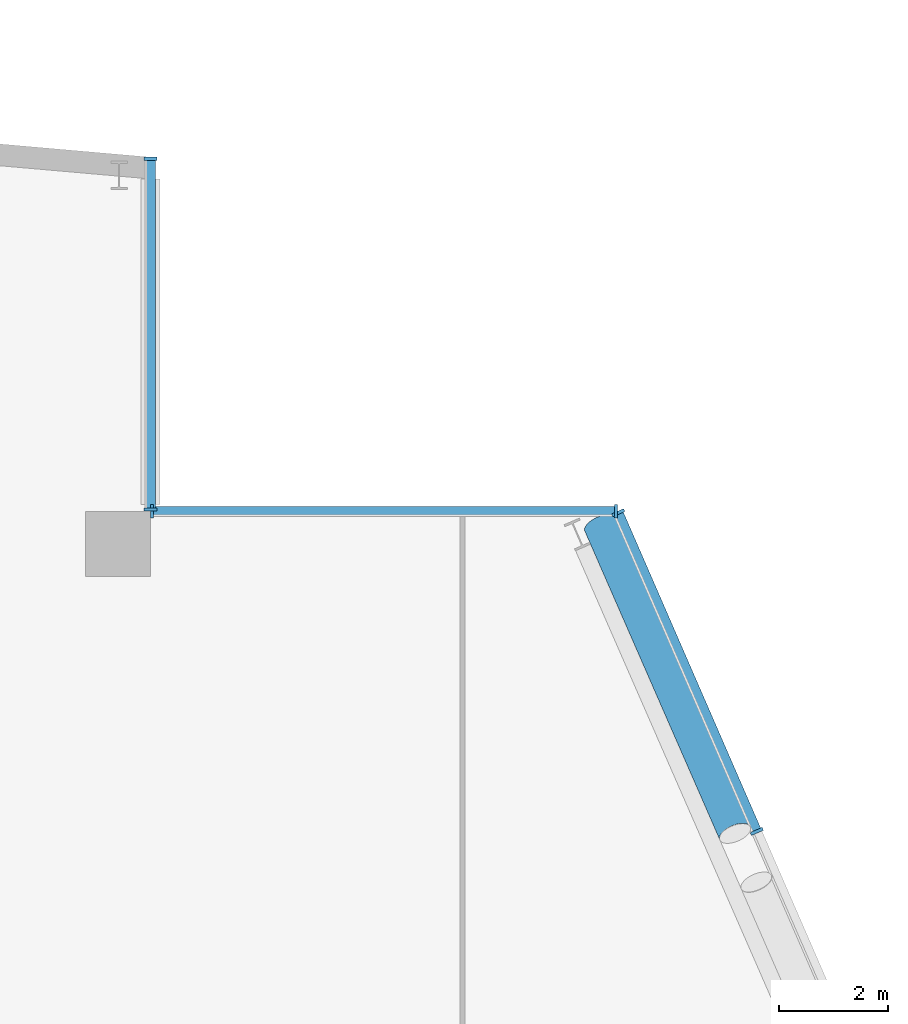
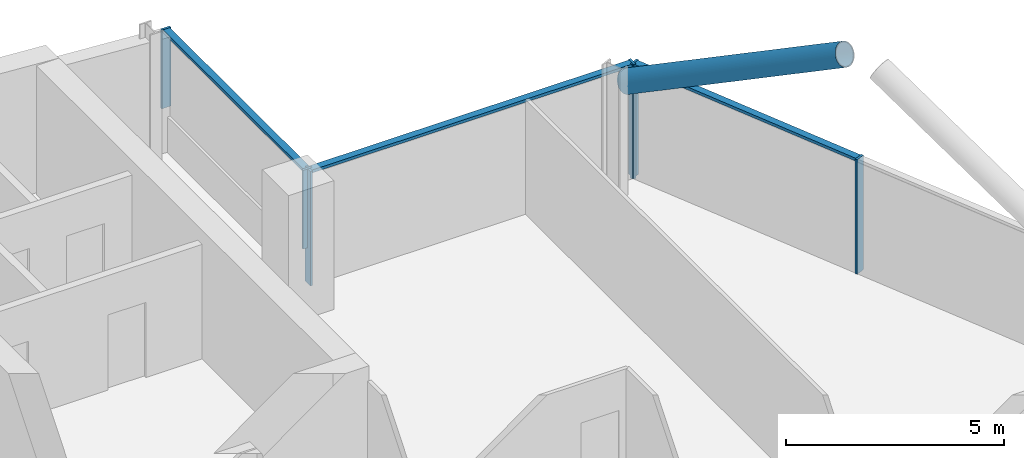
# One storey, part 11 of 25: 10 members, 3 elements without a shape of their own.
"""IFC4 building model written with IfcOpenShell, lengths in metres."""

from ifc_helpers import new_model, si_unit, direction, frame, origin, origin_2d, place, context, subcontext, project, spatial, rectangle, hollow_circle, extrude, material, material_profile, profile_set, type_object, element, aggregate, save


model = new_model("IFC4")

# Units and contexts
model_context = context("Model", 3, precision=1e-05, world=origin(), true_north=direction((0.0, 1.0)))
body_context = subcontext(model_context, "Body", "Model", "MODEL_VIEW")
ifc_project = project(units=[si_unit("LENGTHUNIT", "METRE"), si_unit("AREAUNIT", "SQUARE_METRE"), si_unit("VOLUMEUNIT", "CUBIC_METRE"), si_unit("PLANEANGLEUNIT", "RADIAN"), si_unit("MASSUNIT", "GRAM", prefix="KILO")], contexts=[model_context])

# Site, building, storey
site_placement = place(None, origin())
site = spatial("IfcSite", under=ifc_project, at=site_placement, CompositionType="ELEMENT")
building_placement = place(site_placement, origin())
building = spatial("IfcBuilding", under=site, at=building_placement, Name="Wharfspan Tower", CompositionType="ELEMENT")
storey_placement = place(building_placement, frame((0.0, 0.0, 225.100098)))
storey = spatial("IfcBuildingStorey", under=building, at=storey_placement, Name="L56", CompositionType="ELEMENT", Elevation=225.100098)

# Curtain wall, members
ifc_material_1 = material(Name="Aluminium 6063-T6", Category="aluminium")
curtain_wall_type = type_object("IfcCurtainWallType", Name="CURTAIN WALL PROW AND END", PredefinedType="NOTDEFINED", material=ifc_material_1)
curtain_wall_1_placement = place(storey_placement, origin())
curtain_wall_1 = element("IfcCurtainWall", 1, at=curtain_wall_1_placement, inside=storey, type_object=curtain_wall_type, Name="Curtain wall E", PredefinedType="NOTDEFINED")
ifc_material_profile_1 = material_profile(ifc_material_1, rectangle(XDim=0.23999, YDim=0.060059, at=origin_2d()))
ifc_profile_set_1 = profile_set([ifc_material_profile_1], Name="Aluminium 6063-T6")
member_type_1 = type_object("IfcMemberType", Name="MULLION PROW AND END 60x240", PredefinedType="MULLION", material=ifc_profile_set_1)
member_1_placement = place(storey_placement, frame((72.173828, 36.100098, 0.0), z_axis=(0.0, 0.0, 1.0), x_axis=(-0.917072, -0.398727, 0.0)))
member_1 = element("IfcMember", 2, at=member_1_placement, type_object=member_type_1, Name="Curtain wall E mullion 6", PredefinedType="MULLION", context=body_context, shape_type="SweptSolid", body=[
    extrude(rectangle(XDim=0.23999, YDim=0.060059, at=origin_2d()), origin(), (0.0, 0.0, 1.0), 3.199951),
])
member_2_placement = place(storey_placement, frame((69.620605, 41.972412, 0.0), z_axis=(0.0, 0.0, 1.0), x_axis=(-0.917072, -0.398727, 0.0)))
member_2 = element("IfcMember", 3, at=member_2_placement, type_object=member_type_1, Name="Curtain wall E mullion 7", PredefinedType="MULLION", context=body_context, shape_type="SweptSolid", body=[
    extrude(rectangle(XDim=0.23999, YDim=0.060059, at=origin_2d()), origin(), (0.0, 0.0, 1.0), 3.199951),
])

curtain_wall_2_placement = place(storey_placement, origin())
curtain_wall_2 = element("IfcCurtainWall", 4, at=curtain_wall_2_placement, inside=storey, type_object=curtain_wall_type, Name="Curtain wall NRE-H", PredefinedType="NOTDEFINED")
member_3_placement = place(storey_placement, frame((69.578613, 42.0, 0.0), z_axis=(0.0, 0.0, 1.0), x_axis=(0.0, -1.0, 0.0)))
member_3 = element("IfcMember", 5, at=member_3_placement, type_object=member_type_1, Name="Curtain wall NRE-H mullion 1", PredefinedType="MULLION", context=body_context, shape_type="SweptSolid", body=[
    extrude(rectangle(XDim=0.23999, YDim=0.060059, at=origin_2d()), origin(), (0.0, 0.0, 1.0), 3.199951),
])
member_4_placement = place(storey_placement, frame((61.030029, 42.0, 0.0), z_axis=(0.0, 0.0, 1.0), x_axis=(0.0, -1.0, 0.0)))
member_4 = element("IfcMember", 6, at=member_4_placement, type_object=member_type_1, Name="Curtain wall NRE-H mullion 2", PredefinedType="MULLION", context=body_context, shape_type="SweptSolid", body=[
    extrude(rectangle(XDim=0.23999, YDim=0.060059, at=origin_2d()), origin(), (0.0, 0.0, 1.0), 3.199951),
])

curtain_wall_3_placement = place(storey_placement, origin())
curtain_wall_3 = element("IfcCurtainWall", 7, at=curtain_wall_3_placement, inside=storey, type_object=curtain_wall_type, Name="Curtain wall NRE-V", PredefinedType="NOTDEFINED")
member_5_placement = place(storey_placement, frame((61.0, 42.030029, 1.0), z_axis=(0.0, 0.0, 1.0), x_axis=(-1.0, 0.0, 0.0)))
member_5 = element("IfcMember", 8, at=member_5_placement, type_object=member_type_1, Name="Curtain wall NRE-V mullion 1", PredefinedType="MULLION", context=body_context, shape_type="SweptSolid", body=[
    extrude(rectangle(XDim=0.23999, YDim=0.060059, at=origin_2d()), origin(), (0.0, 0.0, 1.0), 2.199951),
])
member_6_placement = place(storey_placement, frame((61.0, 48.494873, 1.0), z_axis=(0.0, 0.0, 1.0), x_axis=(-1.0, 0.0, 0.0)))
member_6 = element("IfcMember", 9, at=member_6_placement, type_object=member_type_1, Name="Curtain wall NRE-V mullion 2", PredefinedType="MULLION", context=body_context, shape_type="SweptSolid", body=[
    extrude(rectangle(XDim=0.23999, YDim=0.060059, at=origin_2d()), origin(), (0.0, 0.0, 1.0), 2.199951),
])

# Member
ifc_material_2 = material(Name="Steel S460NH", Category="steel")
ifc_material_profile_2 = material_profile(ifc_material_2, hollow_circle(Radius=0.304932, WallThickness=0.024902, at=origin_2d()))
ifc_profile_set_2 = profile_set([ifc_material_profile_2], Name="Steel S460NH")
member_type_2 = type_object("IfcMemberType", Name="Mega brace CHS 610x25", PredefinedType="BRACE", material=ifc_profile_set_2)
member_7_placement = place(storey_placement, frame((69.284424, 41.753662, 2.899902), z_axis=(0.352909, -0.807115, 0.473307), x_axis=(0.916238, 0.400621, -3e-06)))
element("IfcMember", 10, at=member_7_placement, inside=storey, type_object=member_type_2, Name="Mega brace E6 L57 part 3", PredefinedType="BRACE", context=body_context, shape_type="SweptSolid", body=[
    extrude(hollow_circle(Radius=0.304932, WallThickness=0.024902, at=origin_2d()), origin(), (0.0, 0.0, 1.0), 7.04248),
])

ifc_material_profile_3 = material_profile(ifc_material_1, rectangle(XDim=0.179932, YDim=0.080078, at=origin_2d()))
ifc_profile_set_3 = profile_set([ifc_material_profile_3], Name="Aluminium 6063-T6")
member_type_3 = type_object("IfcMemberType", Name="TRANSOM PROW AND END 80x180", PredefinedType="USERDEFINED", material=ifc_profile_set_3)
member_8_placement = place(storey_placement, frame((72.161865, 36.127441, 3.159912), z_axis=(-0.398712, 0.917076, 0.0), x_axis=(-0.917076, -0.398712, 0.0)))
member_8 = element("IfcMember", 11, at=member_8_placement, type_object=member_type_3, Name="Curtain wall E transom 6", ObjectType="TRANSOM", PredefinedType="USERDEFINED", context=body_context, shape_type="SweptSolid", body=[
    extrude(rectangle(XDim=0.179932, YDim=0.080078, at=origin_2d()), origin(), (0.0, 0.0, 1.0), 6.34375),
])

aggregate(curtain_wall_1, [member_1, member_2, member_8])

member_9_placement = place(storey_placement, frame((69.548584, 42.0, 3.159912), z_axis=(-1.0, 0.0, 0.0), x_axis=(0.0, -1.0, 0.0)))
member_9 = element("IfcMember", 12, at=member_9_placement, type_object=member_type_3, Name="Curtain wall NRE-H transom 1", ObjectType="TRANSOM", PredefinedType="USERDEFINED", context=body_context, shape_type="SweptSolid", body=[
    extrude(rectangle(XDim=0.179932, YDim=0.080078, at=origin_2d()), origin(), (0.0, 0.0, 1.0), 8.488525),
])

aggregate(curtain_wall_2, [member_3, member_4, member_9])

member_10_placement = place(storey_placement, frame((61.0, 42.060059, 3.159912), z_axis=(0.0, 1.0, 0.0), x_axis=(-1.0, 0.0, 0.0)))
member_10 = element("IfcMember", 13, at=member_10_placement, type_object=member_type_3, Name="Curtain wall NRE-V transom 1", ObjectType="TRANSOM", PredefinedType="USERDEFINED", context=body_context, shape_type="SweptSolid", body=[
    extrude(rectangle(XDim=0.179932, YDim=0.080078, at=origin_2d()), origin(), (0.0, 0.0, 1.0), 6.404785),
])

aggregate(curtain_wall_3, [member_5, member_6, member_10])

save(model, "model.ifc")
